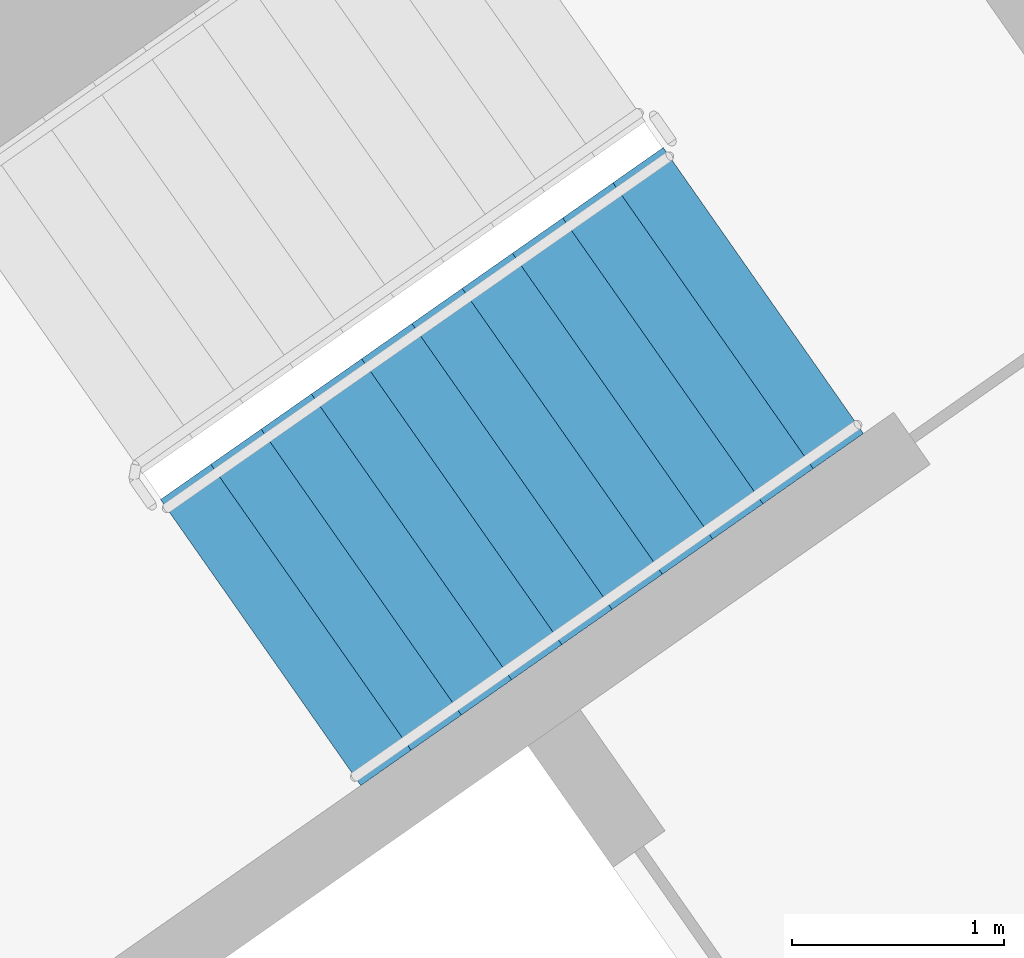
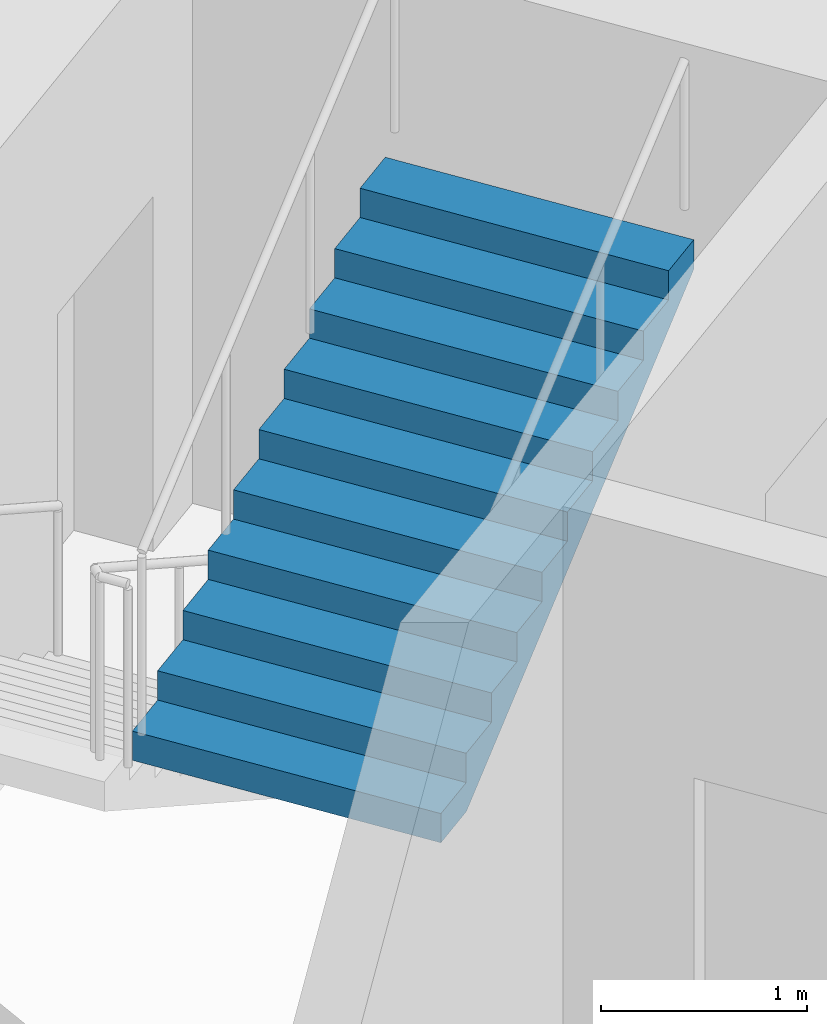
# One storey, part 14 of 33: 1 stair flight, 1 element without a shape of its own.
"""IFC4 building model written with IfcOpenShell, lengths in metres."""

from ifc_helpers import new_model, si_unit, direction, frame, origin, place, context, subcontext, project, spatial, faceted_brep, material, type_object, element, aggregate, save


model = new_model("IFC4")

# Units and contexts
model_context = context("Model", 3, precision=1e-05, world=origin(), true_north=direction((0.0, 1.0)))
body_context = subcontext(model_context, "Body", "Model", "MODEL_VIEW")
ifc_project = project(units=[si_unit("LENGTHUNIT", "METRE"), si_unit("AREAUNIT", "SQUARE_METRE"), si_unit("VOLUMEUNIT", "CUBIC_METRE"), si_unit("PLANEANGLEUNIT", "RADIAN"), si_unit("MASSUNIT", "GRAM", prefix="KILO")], contexts=[model_context])

# Site, building, storey
site_placement = place(None, origin())
site = spatial("IfcSite", under=ifc_project, at=site_placement, CompositionType="ELEMENT")
building_placement = place(site_placement, origin())
building = spatial("IfcBuilding", under=site, at=building_placement, Name="Qamariyya Broadcast Tower", CompositionType="ELEMENT")
storey_placement = place(building_placement, frame((0.0, 0.0, 94.89990234375)))
storey = spatial("IfcBuildingStorey", under=building, at=storey_placement, Name="L20", CompositionType="ELEMENT", Elevation=94.89990234375)

# Stair, stair flight
ifc_material = material(Name="Concrete C50/60", Category="concrete")
stair_type = type_object("IfcStairType", Name="Exit stair 22 risers of 173 mm", PredefinedType="HALF_TURN_STAIR", material=ifc_material)
stair_placement = place(storey_placement, origin())
stair = element("IfcStair", 1, at=stair_placement, inside=storey, type_object=stair_type, Name="L20 Stair E2", PredefinedType="HALF_TURN_STAIR")
stair_flight_type = type_object("IfcStairFlightType", Name="Exit stair flight 11 risers of 173 mm", PredefinedType="STRAIGHT", material=ifc_material)
stair_flight_placement = place(storey_placement, frame((39.215576171875, -50.822998046875, 1.900146484375), z_axis=(0.0, 0.0, 1.0), x_axis=(0.819152044289, 0.573576436351, 0.0)))
stair_flight = element("IfcStairFlight", 2, at=stair_flight_placement, type_object=stair_flight_type, Name="ST-E2 flight 2", NumberOfRisers=11, NumberOfTreads=10, PredefinedType="STRAIGHT", RiserHeight=0.172727273, TreadLength=0.29, context=body_context, shape_type="Brep", body=[
    faceted_brep([(0.0, 0.824951171875, 0.0), (0.0, 0.824951171875, 0.172607421875), (0.2900390625, 0.824951171875, 0.172607421875), (0.2900390625, 0.824951171875, 0.345458984375), (0.580078125, 0.824951171875, 0.345458984375), (0.580078125, 0.824951171875, 0.51806640625), (0.8701171875, 0.824951171875, 0.51806640625), (0.8701171875, 0.824951171875, 0.69091796875), (1.159912109375, 0.824951171875, 0.69091796875), (1.159912109375, 0.824951171875, 0.863525390625), (1.449951171875, 0.824951171875, 0.863525390625), (1.449951171875, 0.824951171875, 1.036376953125), (1.739990234375, 0.824951171875, 1.036376953125), (1.739990234375, 0.824951171875, 1.208984375), (2.030029296875, 0.824951171875, 1.208984375), (2.030029296875, 0.824951171875, 1.3818359375), (2.320068359375, 0.824951171875, 1.3818359375), (2.320068359375, 0.824951171875, 1.554443359375), (2.610107421875, 0.824951171875, 1.554443359375), (2.610107421875, 0.824951171875, 1.727294921875), (2.89990234375, 0.824951171875, 1.727294921875), (2.89990234375, 0.824951171875, 1.552734375), (0.29296875, 0.824951171875, 0.0), (0.29296875, -0.824951171875, 0.0), (2.89990234375, -0.824951171875, 1.552734375), (2.89990234375, -0.824951171875, 1.727294921875), (2.610107421875, -0.824951171875, 1.727294921875), (2.610107421875, -0.824951171875, 1.554443359375), (2.320068359375, -0.824951171875, 1.554443359375), (2.320068359375, -0.824951171875, 1.3818359375), (2.030029296875, -0.824951171875, 1.3818359375), (2.030029296875, -0.824951171875, 1.208984375), (1.739990234375, -0.824951171875, 1.208984375), (1.739990234375, -0.824951171875, 1.036376953125), (1.449951171875, -0.824951171875, 1.036376953125), (1.449951171875, -0.824951171875, 0.863525390625), (1.159912109375, -0.824951171875, 0.863525390625), (1.159912109375, -0.824951171875, 0.69091796875), (0.8701171875, -0.824951171875, 0.69091796875), (0.8701171875, -0.824951171875, 0.51806640625), (0.580078125, -0.824951171875, 0.51806640625), (0.580078125, -0.824951171875, 0.345458984375), (0.2900390625, -0.824951171875, 0.345458984375), (0.2900390625, -0.824951171875, 0.172607421875), (0.0, -0.824951171875, 0.172607421875), (0.0, -0.824951171875, 0.0), (0.0, 0.10009765625, 0.0), (0.0, 0.086669921875, 0.0), (0.0, 0.0732421875, 0.0), (0.0, 0.06005859375, 0.0), (0.0, 0.046630859375, 0.0), (0.0, 0.033447265625, 0.0), (0.0, 0.02001953125, 0.0), (0.0, 0.006591796875, 0.0), (0.0, -0.006591796875, 0.0), (0.0, -0.02001953125, 0.0), (0.0, -0.033447265625, 0.0), (0.0, -0.046630859375, 0.0), (0.0, -0.06005859375, 0.0), (0.0, -0.0732421875, 0.0), (0.0, -0.086669921875, 0.0), (0.0, -0.10009765625, 0.0), (0.0, -0.10009765625, 0.172607421875), (0.0, -0.086669921875, 0.172607421875), (0.0, -0.0732421875, 0.172607421875), (0.0, -0.06005859375, 0.172607421875), (0.0, -0.046630859375, 0.172607421875), (0.0, -0.033447265625, 0.172607421875), (0.0, -0.02001953125, 0.172607421875), (0.0, -0.006591796875, 0.172607421875), (0.0, 0.006591796875, 0.172607421875), (0.0, 0.02001953125, 0.172607421875), (0.0, 0.033447265625, 0.172607421875), (0.0, 0.046630859375, 0.172607421875), (0.0, 0.06005859375, 0.172607421875), (0.0, 0.0732421875, 0.172607421875), (0.0, 0.086669921875, 0.172607421875), (0.0, 0.10009765625, 0.172607421875), (0.2900390625, -0.10009765625, 0.172607421875), (0.2900390625, -0.086669921875, 0.172607421875), (0.2900390625, -0.0732421875, 0.172607421875), (0.2900390625, -0.06005859375, 0.172607421875), (0.2900390625, -0.046630859375, 0.172607421875), (0.2900390625, -0.033447265625, 0.172607421875), (0.2900390625, -0.02001953125, 0.172607421875), (0.2900390625, -0.006591796875, 0.172607421875), (0.2900390625, 0.006591796875, 0.172607421875), (0.2900390625, 0.02001953125, 0.172607421875), (0.2900390625, 0.033447265625, 0.172607421875), (0.2900390625, 0.046630859375, 0.172607421875), (0.2900390625, 0.06005859375, 0.172607421875), (0.2900390625, 0.0732421875, 0.172607421875), (0.2900390625, 0.086669921875, 0.172607421875), (0.2900390625, 0.10009765625, 0.172607421875), (0.2900390625, -0.10009765625, 0.345458984375), (0.2900390625, -0.086669921875, 0.345458984375), (0.2900390625, -0.0732421875, 0.345458984375), (0.2900390625, -0.06005859375, 0.345458984375), (0.2900390625, -0.046630859375, 0.345458984375), (0.2900390625, -0.033447265625, 0.345458984375), (0.2900390625, -0.02001953125, 0.345458984375), (0.2900390625, -0.006591796875, 0.345458984375), (0.2900390625, 0.006591796875, 0.345458984375), (0.2900390625, 0.02001953125, 0.345458984375), (0.2900390625, 0.033447265625, 0.345458984375), (0.2900390625, 0.046630859375, 0.345458984375), (0.2900390625, 0.06005859375, 0.345458984375), (0.2900390625, 0.0732421875, 0.345458984375), (0.2900390625, 0.086669921875, 0.345458984375), (0.2900390625, 0.10009765625, 0.345458984375), (0.580078125, -0.10009765625, 0.345458984375), (0.580078125, -0.086669921875, 0.345458984375), (0.580078125, -0.0732421875, 0.345458984375), (0.580078125, -0.06005859375, 0.345458984375), (0.580078125, -0.046630859375, 0.345458984375), (0.580078125, -0.033447265625, 0.345458984375), (0.580078125, -0.02001953125, 0.345458984375), (0.580078125, -0.006591796875, 0.345458984375), (0.580078125, 0.006591796875, 0.345458984375), (0.580078125, 0.02001953125, 0.345458984375), (0.580078125, 0.033447265625, 0.345458984375), (0.580078125, 0.046630859375, 0.345458984375), (0.580078125, 0.06005859375, 0.345458984375), (0.580078125, 0.0732421875, 0.345458984375), (0.580078125, 0.086669921875, 0.345458984375), (0.580078125, 0.10009765625, 0.345458984375), (0.580078125, -0.10009765625, 0.51806640625), (0.580078125, -0.086669921875, 0.51806640625), (0.580078125, -0.0732421875, 0.51806640625), (0.580078125, -0.06005859375, 0.51806640625), (0.580078125, -0.046630859375, 0.51806640625), (0.580078125, -0.033447265625, 0.51806640625), (0.580078125, -0.02001953125, 0.51806640625), (0.580078125, -0.006591796875, 0.51806640625), (0.580078125, 0.006591796875, 0.51806640625), (0.580078125, 0.02001953125, 0.51806640625), (0.580078125, 0.033447265625, 0.51806640625), (0.580078125, 0.046630859375, 0.51806640625), (0.580078125, 0.06005859375, 0.51806640625), (0.580078125, 0.0732421875, 0.51806640625), (0.580078125, 0.086669921875, 0.51806640625), (0.580078125, 0.10009765625, 0.51806640625), (0.8701171875, -0.10009765625, 0.51806640625), (0.8701171875, -0.086669921875, 0.51806640625), (0.8701171875, -0.0732421875, 0.51806640625), (0.8701171875, -0.06005859375, 0.51806640625), (0.8701171875, -0.046630859375, 0.51806640625), (0.8701171875, -0.033447265625, 0.51806640625), (0.8701171875, -0.02001953125, 0.51806640625), (0.8701171875, -0.006591796875, 0.51806640625), (0.8701171875, 0.006591796875, 0.51806640625), (0.8701171875, 0.02001953125, 0.51806640625), (0.8701171875, 0.033447265625, 0.51806640625), (0.8701171875, 0.046630859375, 0.51806640625), (0.8701171875, 0.06005859375, 0.51806640625), (0.8701171875, 0.0732421875, 0.51806640625), (0.8701171875, 0.086669921875, 0.51806640625), (0.8701171875, 0.10009765625, 0.51806640625), (0.8701171875, -0.10009765625, 0.69091796875), (0.8701171875, -0.086669921875, 0.69091796875), (0.8701171875, -0.0732421875, 0.69091796875), (0.8701171875, -0.06005859375, 0.69091796875), (0.8701171875, -0.046630859375, 0.69091796875), (0.8701171875, -0.033447265625, 0.69091796875), (0.8701171875, -0.02001953125, 0.69091796875), (0.8701171875, -0.006591796875, 0.69091796875), (0.8701171875, 0.006591796875, 0.69091796875), (0.8701171875, 0.02001953125, 0.69091796875), (0.8701171875, 0.033447265625, 0.69091796875), (0.8701171875, 0.046630859375, 0.69091796875), (0.8701171875, 0.06005859375, 0.69091796875), (0.8701171875, 0.0732421875, 0.69091796875), (0.8701171875, 0.086669921875, 0.69091796875), (0.8701171875, 0.10009765625, 0.69091796875), (1.159912109375, -0.10009765625, 0.69091796875), (1.159912109375, -0.086669921875, 0.69091796875), (1.159912109375, -0.0732421875, 0.69091796875), (1.159912109375, -0.06005859375, 0.69091796875), (1.159912109375, -0.046630859375, 0.69091796875), (1.159912109375, -0.033447265625, 0.69091796875), (1.159912109375, -0.02001953125, 0.69091796875), (1.159912109375, -0.006591796875, 0.69091796875), (1.159912109375, 0.006591796875, 0.69091796875), (1.159912109375, 0.02001953125, 0.69091796875), (1.159912109375, 0.033447265625, 0.69091796875), (1.159912109375, 0.046630859375, 0.69091796875), (1.159912109375, 0.06005859375, 0.69091796875), (1.159912109375, 0.0732421875, 0.69091796875), (1.159912109375, 0.086669921875, 0.69091796875), (1.159912109375, 0.10009765625, 0.69091796875), (1.159912109375, -0.10009765625, 0.863525390625), (1.159912109375, -0.086669921875, 0.863525390625), (1.159912109375, -0.0732421875, 0.863525390625), (1.159912109375, -0.06005859375, 0.863525390625), (1.159912109375, -0.046630859375, 0.863525390625), (1.159912109375, -0.033447265625, 0.863525390625), (1.159912109375, -0.02001953125, 0.863525390625), (1.159912109375, -0.006591796875, 0.863525390625), (1.159912109375, 0.006591796875, 0.863525390625), (1.159912109375, 0.02001953125, 0.863525390625), (1.159912109375, 0.033447265625, 0.863525390625), (1.159912109375, 0.046630859375, 0.863525390625), (1.159912109375, 0.06005859375, 0.863525390625), (1.159912109375, 0.0732421875, 0.863525390625), (1.159912109375, 0.086669921875, 0.863525390625), (1.159912109375, 0.10009765625, 0.863525390625), (1.449951171875, -0.10009765625, 0.863525390625), (1.449951171875, -0.086669921875, 0.863525390625), (1.449951171875, -0.0732421875, 0.863525390625), (1.449951171875, -0.06005859375, 0.863525390625), (1.449951171875, -0.046630859375, 0.863525390625), (1.449951171875, -0.033447265625, 0.863525390625), (1.449951171875, -0.02001953125, 0.863525390625), (1.449951171875, -0.006591796875, 0.863525390625), (1.449951171875, 0.006591796875, 0.863525390625), (1.449951171875, 0.02001953125, 0.863525390625), (1.449951171875, 0.033447265625, 0.863525390625), (1.449951171875, 0.046630859375, 0.863525390625), (1.449951171875, 0.06005859375, 0.863525390625), (1.449951171875, 0.0732421875, 0.863525390625), (1.449951171875, 0.086669921875, 0.863525390625), (1.449951171875, 0.10009765625, 0.863525390625), (1.449951171875, -0.10009765625, 1.036376953125), (1.449951171875, -0.086669921875, 1.036376953125), (1.449951171875, -0.0732421875, 1.036376953125), (1.449951171875, -0.06005859375, 1.036376953125), (1.449951171875, -0.046630859375, 1.036376953125), (1.449951171875, -0.033447265625, 1.036376953125), (1.449951171875, -0.02001953125, 1.036376953125), (1.449951171875, -0.006591796875, 1.036376953125), (1.449951171875, 0.006591796875, 1.036376953125), (1.449951171875, 0.02001953125, 1.036376953125), (1.449951171875, 0.033447265625, 1.036376953125), (1.449951171875, 0.046630859375, 1.036376953125), (1.449951171875, 0.06005859375, 1.036376953125), (1.449951171875, 0.0732421875, 1.036376953125), (1.449951171875, 0.086669921875, 1.036376953125), (1.449951171875, 0.10009765625, 1.036376953125), (1.739990234375, -0.10009765625, 1.036376953125), (1.739990234375, -0.086669921875, 1.036376953125), (1.739990234375, -0.0732421875, 1.036376953125), (1.739990234375, -0.06005859375, 1.036376953125), (1.739990234375, -0.046630859375, 1.036376953125), (1.739990234375, -0.033447265625, 1.036376953125), (1.739990234375, -0.02001953125, 1.036376953125), (1.739990234375, -0.006591796875, 1.036376953125), (1.739990234375, 0.006591796875, 1.036376953125), (1.739990234375, 0.02001953125, 1.036376953125), (1.739990234375, 0.033447265625, 1.036376953125), (1.739990234375, 0.046630859375, 1.036376953125), (1.739990234375, 0.06005859375, 1.036376953125), (1.739990234375, 0.0732421875, 1.036376953125), (1.739990234375, 0.086669921875, 1.036376953125), (1.739990234375, 0.10009765625, 1.036376953125), (1.739990234375, -0.10009765625, 1.208984375), (1.739990234375, -0.086669921875, 1.208984375), (1.739990234375, -0.0732421875, 1.208984375), (1.739990234375, -0.06005859375, 1.208984375), (1.739990234375, -0.046630859375, 1.208984375), (1.739990234375, -0.033447265625, 1.208984375), (1.739990234375, -0.02001953125, 1.208984375), (1.739990234375, -0.006591796875, 1.208984375), (1.739990234375, 0.006591796875, 1.208984375), (1.739990234375, 0.02001953125, 1.208984375), (1.739990234375, 0.033447265625, 1.208984375), (1.739990234375, 0.046630859375, 1.208984375), (1.739990234375, 0.06005859375, 1.208984375), (1.739990234375, 0.0732421875, 1.208984375), (1.739990234375, 0.086669921875, 1.208984375), (1.739990234375, 0.10009765625, 1.208984375), (2.030029296875, -0.10009765625, 1.208984375), (2.030029296875, -0.086669921875, 1.208984375), (2.030029296875, -0.0732421875, 1.208984375), (2.030029296875, -0.06005859375, 1.208984375), (2.030029296875, -0.046630859375, 1.208984375), (2.030029296875, -0.033447265625, 1.208984375), (2.030029296875, -0.02001953125, 1.208984375), (2.030029296875, -0.006591796875, 1.208984375), (2.030029296875, 0.006591796875, 1.208984375), (2.030029296875, 0.02001953125, 1.208984375), (2.030029296875, 0.033447265625, 1.208984375), (2.030029296875, 0.046630859375, 1.208984375), (2.030029296875, 0.06005859375, 1.208984375), (2.030029296875, 0.0732421875, 1.208984375), (2.030029296875, 0.086669921875, 1.208984375), (2.030029296875, 0.10009765625, 1.208984375), (2.030029296875, -0.10009765625, 1.3818359375), (2.030029296875, -0.086669921875, 1.3818359375), (2.030029296875, -0.0732421875, 1.3818359375), (2.030029296875, -0.06005859375, 1.3818359375), (2.030029296875, -0.046630859375, 1.3818359375), (2.030029296875, -0.033447265625, 1.3818359375), (2.030029296875, -0.02001953125, 1.3818359375), (2.030029296875, -0.006591796875, 1.3818359375), (2.030029296875, 0.006591796875, 1.3818359375), (2.030029296875, 0.02001953125, 1.3818359375), (2.030029296875, 0.033447265625, 1.3818359375), (2.030029296875, 0.046630859375, 1.3818359375), (2.030029296875, 0.06005859375, 1.3818359375), (2.030029296875, 0.0732421875, 1.3818359375), (2.030029296875, 0.086669921875, 1.3818359375), (2.030029296875, 0.10009765625, 1.3818359375), (2.320068359375, -0.10009765625, 1.3818359375), (2.320068359375, -0.086669921875, 1.3818359375), (2.320068359375, -0.0732421875, 1.3818359375), (2.320068359375, -0.06005859375, 1.3818359375), (2.320068359375, -0.046630859375, 1.3818359375), (2.320068359375, -0.033447265625, 1.3818359375), (2.320068359375, -0.02001953125, 1.3818359375), (2.320068359375, -0.006591796875, 1.3818359375), (2.320068359375, 0.006591796875, 1.3818359375), (2.320068359375, 0.02001953125, 1.3818359375), (2.320068359375, 0.033447265625, 1.3818359375), (2.320068359375, 0.046630859375, 1.3818359375), (2.320068359375, 0.06005859375, 1.3818359375), (2.320068359375, 0.0732421875, 1.3818359375), (2.320068359375, 0.086669921875, 1.3818359375), (2.320068359375, 0.10009765625, 1.3818359375), (2.320068359375, -0.10009765625, 1.554443359375), (2.320068359375, -0.086669921875, 1.554443359375), (2.320068359375, -0.0732421875, 1.554443359375), (2.320068359375, -0.06005859375, 1.554443359375), (2.320068359375, -0.046630859375, 1.554443359375), (2.320068359375, -0.033447265625, 1.554443359375), (2.320068359375, -0.02001953125, 1.554443359375), (2.320068359375, -0.006591796875, 1.554443359375), (2.320068359375, 0.006591796875, 1.554443359375), (2.320068359375, 0.02001953125, 1.554443359375), (2.320068359375, 0.033447265625, 1.554443359375), (2.320068359375, 0.046630859375, 1.554443359375), (2.320068359375, 0.06005859375, 1.554443359375), (2.320068359375, 0.0732421875, 1.554443359375), (2.320068359375, 0.086669921875, 1.554443359375), (2.320068359375, 0.10009765625, 1.554443359375), (2.610107421875, -0.10009765625, 1.554443359375), (2.610107421875, -0.086669921875, 1.554443359375), (2.610107421875, -0.0732421875, 1.554443359375), (2.610107421875, -0.06005859375, 1.554443359375), (2.610107421875, -0.046630859375, 1.554443359375), (2.610107421875, -0.033447265625, 1.554443359375), (2.610107421875, -0.02001953125, 1.554443359375), (2.610107421875, -0.006591796875, 1.554443359375), (2.610107421875, 0.006591796875, 1.554443359375), (2.610107421875, 0.02001953125, 1.554443359375), (2.610107421875, 0.033447265625, 1.554443359375), (2.610107421875, 0.046630859375, 1.554443359375), (2.610107421875, 0.06005859375, 1.554443359375), (2.610107421875, 0.0732421875, 1.554443359375), (2.610107421875, 0.086669921875, 1.554443359375), (2.610107421875, 0.10009765625, 1.554443359375), (2.610107421875, -0.10009765625, 1.727294921875), (2.610107421875, -0.086669921875, 1.727294921875), (2.610107421875, -0.0732421875, 1.727294921875), (2.610107421875, -0.06005859375, 1.727294921875), (2.610107421875, -0.046630859375, 1.727294921875), (2.610107421875, -0.033447265625, 1.727294921875), (2.610107421875, -0.02001953125, 1.727294921875), (2.610107421875, -0.006591796875, 1.727294921875), (2.610107421875, 0.006591796875, 1.727294921875), (2.610107421875, 0.02001953125, 1.727294921875), (2.610107421875, 0.033447265625, 1.727294921875), (2.610107421875, 0.046630859375, 1.727294921875), (2.610107421875, 0.06005859375, 1.727294921875), (2.610107421875, 0.0732421875, 1.727294921875), (2.610107421875, 0.086669921875, 1.727294921875), (2.610107421875, 0.10009765625, 1.727294921875), (2.89990234375, -0.10009765625, 1.727294921875), (2.89990234375, -0.086669921875, 1.727294921875), (2.89990234375, -0.0732421875, 1.727294921875), (2.89990234375, -0.06005859375, 1.727294921875), (2.89990234375, -0.046630859375, 1.727294921875), (2.89990234375, -0.033447265625, 1.727294921875), (2.89990234375, -0.02001953125, 1.727294921875), (2.89990234375, -0.006591796875, 1.727294921875), (2.89990234375, 0.006591796875, 1.727294921875), (2.89990234375, 0.02001953125, 1.727294921875), (2.89990234375, 0.033447265625, 1.727294921875), (2.89990234375, 0.046630859375, 1.727294921875), (2.89990234375, 0.06005859375, 1.727294921875), (2.89990234375, 0.0732421875, 1.727294921875), (2.89990234375, 0.086669921875, 1.727294921875), (2.89990234375, 0.10009765625, 1.727294921875), (2.89990234375, -0.10009765625, 1.552734375), (2.89990234375, -0.086669921875, 1.552734375), (2.89990234375, -0.0732421875, 1.552734375), (2.89990234375, -0.06005859375, 1.552734375), (2.89990234375, -0.046630859375, 1.552734375), (2.89990234375, -0.033447265625, 1.552734375), (2.89990234375, -0.02001953125, 1.552734375), (2.89990234375, -0.006591796875, 1.552734375), (2.89990234375, 0.006591796875, 1.552734375), (2.89990234375, 0.02001953125, 1.552734375), (2.89990234375, 0.033447265625, 1.552734375), (2.89990234375, 0.046630859375, 1.552734375), (2.89990234375, 0.06005859375, 1.552734375), (2.89990234375, 0.0732421875, 1.552734375), (2.89990234375, 0.086669921875, 1.552734375), (2.89990234375, 0.10009765625, 1.552734375), (0.29296875, -0.10009765625, 0.0), (0.29296875, -0.086669921875, 0.0), (0.29296875, -0.0732421875, 0.0), (0.29296875, -0.06005859375, 0.0), (0.29296875, -0.046630859375, 0.0), (0.29296875, -0.033447265625, 0.0), (0.29296875, -0.02001953125, 0.0), (0.29296875, -0.006591796875, 0.0), (0.29296875, 0.006591796875, 0.0), (0.29296875, 0.02001953125, 0.0), (0.29296875, 0.033447265625, 0.0), (0.29296875, 0.046630859375, 0.0), (0.29296875, 0.06005859375, 0.0), (0.29296875, 0.0732421875, 0.0), (0.29296875, 0.086669921875, 0.0), (0.29296875, 0.10009765625, 0.0)], [[[0, 1, 2, 3, 4, 5, 6, 7, 8, 9, 10, 11, 12, 13, 14, 15, 16, 17, 18, 19, 20, 21, 22]], [[23, 24, 25, 26, 27, 28, 29, 30, 31, 32, 33, 34, 35, 36, 37, 38, 39, 40, 41, 42, 43, 44, 45]], [[0, 46, 47, 48, 49, 50, 51, 52, 53, 54, 55, 56, 57, 58, 59, 60, 61, 45, 44, 62, 63, 64, 65, 66, 67, 68, 69, 70, 71, 72, 73, 74, 75, 76, 77, 1]], [[1, 77, 76, 75, 74, 73, 72, 71, 70, 69, 68, 67, 66, 65, 64, 63, 62, 44, 43, 78, 79, 80, 81, 82, 83, 84, 85, 86, 87, 88, 89, 90, 91, 92, 93, 2]], [[2, 93, 92, 91, 90, 89, 88, 87, 86, 85, 84, 83, 82, 81, 80, 79, 78, 43, 42, 94, 95, 96, 97, 98, 99, 100, 101, 102, 103, 104, 105, 106, 107, 108, 109, 3]], [[3, 109, 108, 107, 106, 105, 104, 103, 102, 101, 100, 99, 98, 97, 96, 95, 94, 42, 41, 110, 111, 112, 113, 114, 115, 116, 117, 118, 119, 120, 121, 122, 123, 124, 125, 4]], [[4, 125, 124, 123, 122, 121, 120, 119, 118, 117, 116, 115, 114, 113, 112, 111, 110, 41, 40, 126, 127, 128, 129, 130, 131, 132, 133, 134, 135, 136, 137, 138, 139, 140, 141, 5]], [[5, 141, 140, 139, 138, 137, 136, 135, 134, 133, 132, 131, 130, 129, 128, 127, 126, 40, 39, 142, 143, 144, 145, 146, 147, 148, 149, 150, 151, 152, 153, 154, 155, 156, 157, 6]], [[6, 157, 156, 155, 154, 153, 152, 151, 150, 149, 148, 147, 146, 145, 144, 143, 142, 39, 38, 158, 159, 160, 161, 162, 163, 164, 165, 166, 167, 168, 169, 170, 171, 172, 173, 7]], [[7, 173, 172, 171, 170, 169, 168, 167, 166, 165, 164, 163, 162, 161, 160, 159, 158, 38, 37, 174, 175, 176, 177, 178, 179, 180, 181, 182, 183, 184, 185, 186, 187, 188, 189, 8]], [[8, 189, 188, 187, 186, 185, 184, 183, 182, 181, 180, 179, 178, 177, 176, 175, 174, 37, 36, 190, 191, 192, 193, 194, 195, 196, 197, 198, 199, 200, 201, 202, 203, 204, 205, 9]], [[9, 205, 204, 203, 202, 201, 200, 199, 198, 197, 196, 195, 194, 193, 192, 191, 190, 36, 35, 206, 207, 208, 209, 210, 211, 212, 213, 214, 215, 216, 217, 218, 219, 220, 221, 10]], [[10, 221, 220, 219, 218, 217, 216, 215, 214, 213, 212, 211, 210, 209, 208, 207, 206, 35, 34, 222, 223, 224, 225, 226, 227, 228, 229, 230, 231, 232, 233, 234, 235, 236, 237, 11]], [[11, 237, 236, 235, 234, 233, 232, 231, 230, 229, 228, 227, 226, 225, 224, 223, 222, 34, 33, 238, 239, 240, 241, 242, 243, 244, 245, 246, 247, 248, 249, 250, 251, 252, 253, 12]], [[12, 253, 252, 251, 250, 249, 248, 247, 246, 245, 244, 243, 242, 241, 240, 239, 238, 33, 32, 254, 255, 256, 257, 258, 259, 260, 261, 262, 263, 264, 265, 266, 267, 268, 269, 13]], [[13, 269, 268, 267, 266, 265, 264, 263, 262, 261, 260, 259, 258, 257, 256, 255, 254, 32, 31, 270, 271, 272, 273, 274, 275, 276, 277, 278, 279, 280, 281, 282, 283, 284, 285, 14]], [[14, 285, 284, 283, 282, 281, 280, 279, 278, 277, 276, 275, 274, 273, 272, 271, 270, 31, 30, 286, 287, 288, 289, 290, 291, 292, 293, 294, 295, 296, 297, 298, 299, 300, 301, 15]], [[15, 301, 300, 299, 298, 297, 296, 295, 294, 293, 292, 291, 290, 289, 288, 287, 286, 30, 29, 302, 303, 304, 305, 306, 307, 308, 309, 310, 311, 312, 313, 314, 315, 316, 317, 16]], [[16, 317, 316, 315, 314, 313, 312, 311, 310, 309, 308, 307, 306, 305, 304, 303, 302, 29, 28, 318, 319, 320, 321, 322, 323, 324, 325, 326, 327, 328, 329, 330, 331, 332, 333, 17]], [[17, 333, 332, 331, 330, 329, 328, 327, 326, 325, 324, 323, 322, 321, 320, 319, 318, 28, 27, 334, 335, 336, 337, 338, 339, 340, 341, 342, 343, 344, 345, 346, 347, 348, 349, 18]], [[18, 349, 348, 347, 346, 345, 344, 343, 342, 341, 340, 339, 338, 337, 336, 335, 334, 27, 26, 350, 351, 352, 353, 354, 355, 356, 357, 358, 359, 360, 361, 362, 363, 364, 365, 19]], [[19, 365, 364, 363, 362, 361, 360, 359, 358, 357, 356, 355, 354, 353, 352, 351, 350, 26, 25, 366, 367, 368, 369, 370, 371, 372, 373, 374, 375, 376, 377, 378, 379, 380, 381, 20]], [[20, 381, 380, 379, 378, 377, 376, 375, 374, 373, 372, 371, 370, 369, 368, 367, 366, 25, 24, 382, 383, 384, 385, 386, 387, 388, 389, 390, 391, 392, 393, 394, 395, 396, 397, 21]], [[21, 397, 396, 395, 394, 393, 392, 391, 390, 389, 388, 387, 386, 385, 384, 383, 382, 24, 23, 398, 399, 400, 401, 402, 403, 404, 405, 406, 407, 408, 409, 410, 411, 412, 413, 22]], [[22, 413, 412, 411, 410, 409, 408, 407, 406, 405, 404, 403, 402, 401, 400, 399, 398, 23, 45, 61, 60, 59, 58, 57, 56, 55, 54, 53, 52, 51, 50, 49, 48, 47, 46, 0]]]),
])
aggregate(stair, [stair_flight])

save(model, "model.ifc")
